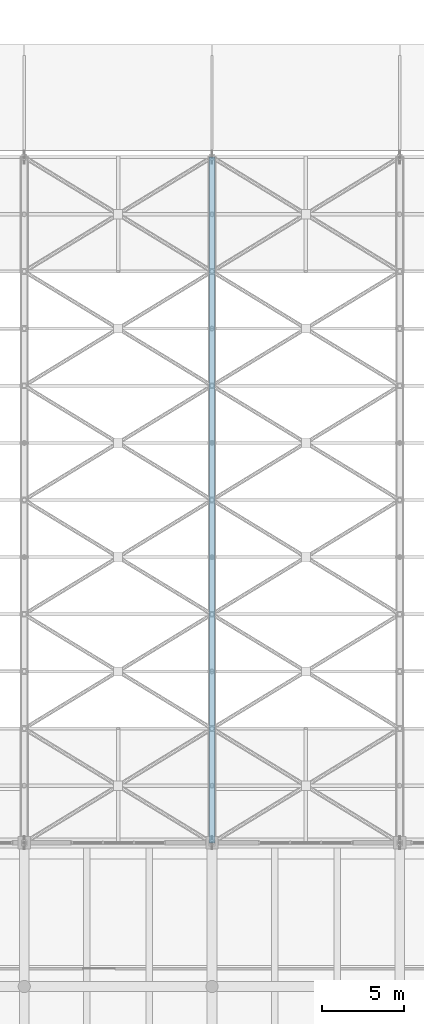
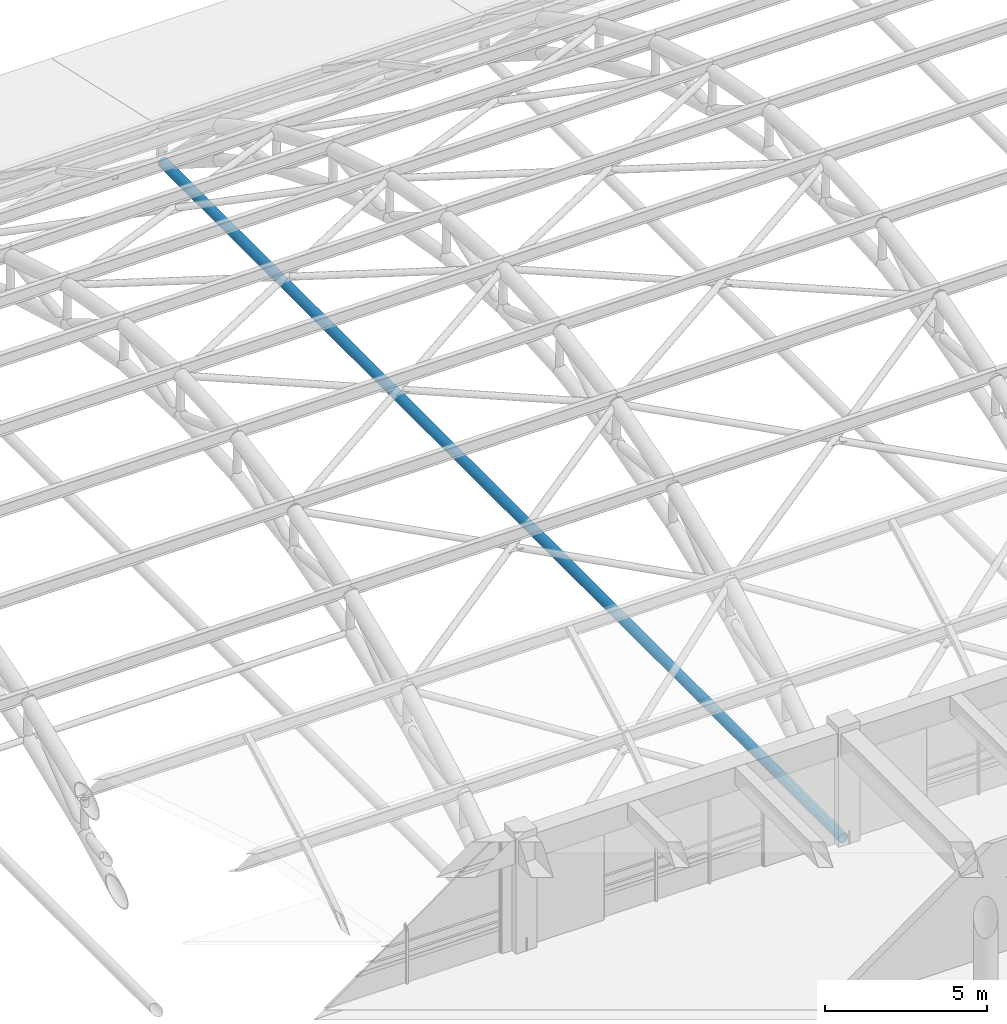
# One storey, part 55 of 154: 1 member.
"""IFC4 building model written with IfcOpenShell, lengths in metres."""

from ifc_helpers import new_model, si_unit, direction, frame, origin, origin_2d, place, context, subcontext, project, spatial, hollow_circle, extrude, material, material_profile, profile_set, type_object, element, save


model = new_model("IFC4")

# Units and contexts
model_context = context("Model", 3, precision=1e-05, world=origin(), true_north=direction((0.0, 1.0)))
body_context = subcontext(model_context, "Body", "Model", "MODEL_VIEW")
ifc_project = project(units=[si_unit("LENGTHUNIT", "METRE"), si_unit("AREAUNIT", "SQUARE_METRE"), si_unit("VOLUMEUNIT", "CUBIC_METRE"), si_unit("PLANEANGLEUNIT", "RADIAN"), si_unit("MASSUNIT", "GRAM", prefix="KILO")], contexts=[model_context])

# Site, building, storey
site_placement = place(None, origin())
site = spatial("IfcSite", under=ifc_project, at=site_placement, CompositionType="ELEMENT")
building_placement = place(site_placement, origin())
building = spatial("IfcBuilding", under=site, at=building_placement, Name="Ologun Quay Terminus", CompositionType="ELEMENT")
storey_placement = place(building_placement, frame((0.0, 0.0, 13.800048828125)))
storey = spatial("IfcBuildingStorey", under=building, at=storey_placement, Name="L03", CompositionType="ELEMENT", Elevation=13.800048828125)

# Member
ifc_material = material(Name="Steel S355", Category="steel")
ifc_material_profile = material_profile(ifc_material, hollow_circle(Radius=0.177734375, WallThickness=0.012451171875, at=origin_2d()), Name="CHS 355.6x12.5")
ifc_profile_set = profile_set([ifc_material_profile], Name="Steel S355")
member_type = type_object("IfcMemberType", Name="Arch Horizontal Tie Chord CHS355", PredefinedType="CHORD", material=ifc_profile_set)
member_placement = place(storey_placement, frame((92.0, 36.0, 0.0), z_axis=(0.0, 1.0, 0.0), x_axis=(-1.0, 0.0, 0.0)))
element("IfcMember", 1, at=member_placement, inside=storey, type_object=member_type, Name="AT1 Arch Tie Chord Grid 9", PredefinedType="CHORD", context=body_context, shape_type="SweptSolid", body=[
    extrude(hollow_circle(Radius=0.177734375, WallThickness=0.012451171875, at=origin_2d()), origin(), (0.0, 0.0, 1.0), 42.0),
])

save(model, "model.ifc")
